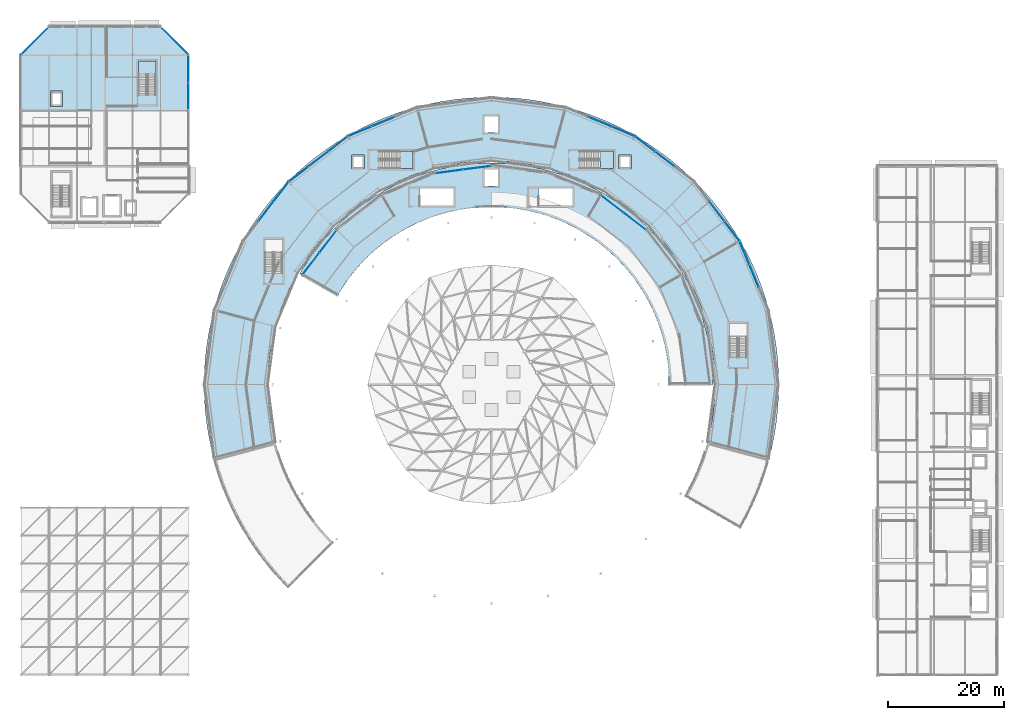
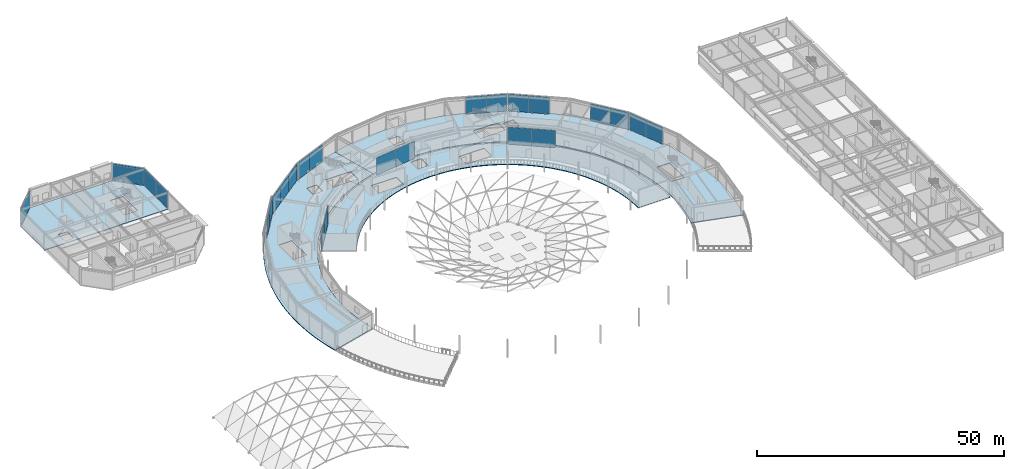
# One storey, part 77 of 116: 25 plates, 7 slabs, 16 elements without a shape of their own.
"""IFC4 building model written with IfcOpenShell, lengths in metres."""

from ifc_helpers import new_model, si_unit, direction, frame, origin, origin_2d, place, context, subcontext, project, spatial, polyline, rectangle, outline, extrude, material, layer, layer_set, type_object, element, aggregate, save


model = new_model("IFC4")

# Units and contexts
model_context = context("Model", 3, precision=1e-05, world=origin(), true_north=direction((0.0, 1.0)))
body_context = subcontext(model_context, "Body", "Model", "MODEL_VIEW")
ifc_project = project(units=[si_unit("LENGTHUNIT", "METRE"), si_unit("AREAUNIT", "SQUARE_METRE"), si_unit("VOLUMEUNIT", "CUBIC_METRE"), si_unit("PLANEANGLEUNIT", "RADIAN"), si_unit("MASSUNIT", "GRAM", prefix="KILO")], contexts=[model_context])

# Site, building, storey
site_placement = place(None, origin())
site = spatial("IfcSite", under=ifc_project, at=site_placement, CompositionType="ELEMENT")
building_placement = place(site_placement, origin())
building = spatial("IfcBuilding", under=site, at=building_placement, Name="Almandine Court Research Institute", CompositionType="ELEMENT")
storey_placement = place(building_placement, frame((0.0, 0.0, 14.35009765625)))
storey = spatial("IfcBuildingStorey", under=building, at=storey_placement, Name="L03", CompositionType="ELEMENT", Elevation=14.35009765625)

# Curtain wall, plate
ifc_material_1 = material(Name="Unitised Curtain Wall Framing and Solar Glazing", Category="glass")
curtain_wall_type_1 = type_object("IfcCurtainWallType", Name="CW-CWG-05", PredefinedType="USERDEFINED", material=ifc_material_1)
curtain_wall_1_placement = place(storey_placement, origin())
curtain_wall_1 = element("IfcCurtainWall", 1, at=curtain_wall_1_placement, inside=storey, type_object=curtain_wall_type_1, Name="L03 Cleanroom NW Chamfer Glazing", ObjectType="UNITISED GLAZING", PredefinedType="USERDEFINED")
ifc_material_2 = material(Name="Double-Glazed Low-E Argon Insulated Glass", Category="glass")
ifc_layer_1 = layer(ifc_material_2, 0.028076171875)
ifc_layer_set_1 = layer_set([ifc_layer_1], Name="Double-Glazed Low-E Argon Insulated Glass")
plate_type_1 = type_object("IfcPlateType", Name="CWPnl-GLZ-28", PredefinedType="CURTAIN_PANEL", material=ifc_layer_set_1)
plate_1_placement = place(storey_placement, frame((8.39990234375, 115.199951171875, 0.059814453125), z_axis=(0.0, 0.0, 1.0), x_axis=(0.707106781187, 0.707106781187, 0.0)))
plate_1 = element("IfcPlate", 2, at=plate_1_placement, type_object=plate_type_1, Name="CWG-05 panel 1.1", PredefinedType="CURTAIN_PANEL", context=body_context, shape_type="SweptSolid", body=[
    extrude(rectangle(XDim=6.656982421875, YDim=0.028076171875, at=origin_2d()), origin(), (0.0, 0.0, 1.0), 4.25),
])
aggregate(curtain_wall_1, [plate_1])

curtain_wall_2_placement = place(storey_placement, origin())
curtain_wall_2 = element("IfcCurtainWall", 3, at=curtain_wall_2_placement, inside=storey, type_object=curtain_wall_type_1, Name="L03 Cleanroom NE Chamfer Glazing", ObjectType="UNITISED GLAZING", PredefinedType="USERDEFINED")
plate_2_placement = place(storey_placement, frame((32.39990234375, 115.199951171875, 0.059814453125), z_axis=(0.0, 0.0, 1.0), x_axis=(0.707106781187, -0.707106781187, 0.0)))
plate_2 = element("IfcPlate", 4, at=plate_2_placement, type_object=plate_type_1, Name="CWG-05 panel 1.1", PredefinedType="CURTAIN_PANEL", context=body_context, shape_type="SweptSolid", body=[
    extrude(rectangle(XDim=6.656982421875, YDim=0.028076171875, at=origin_2d()), origin(), (0.0, 0.0, 1.0), 4.25),
])
aggregate(curtain_wall_2, [plate_2])

# Curtain wall, plates
curtain_wall_type_2 = type_object("IfcCurtainWallType", Name="CW-CWG-20", PredefinedType="USERDEFINED", material=ifc_material_1)
curtain_wall_3_placement = place(storey_placement, origin())
curtain_wall_3 = element("IfcCurtainWall", 5, at=curtain_wall_3_placement, inside=storey, type_object=curtain_wall_type_2, Name="L03 Stacked-Ring Drum Outer Unitised Glazing 04", ObjectType="UNITISED GLAZING", PredefinedType="USERDEFINED")
plate_3_placement = place(storey_placement, frame((105.72802734375, 101.212890625, 0.059814453125), z_axis=(0.0, 0.0, 1.0), x_axis=(0.923888124321, -0.382662689242, 0.0)))
plate_3 = element("IfcPlate", 6, at=plate_3_placement, type_object=plate_type_1, Name="CWG-20 panel 2.1", PredefinedType="CURTAIN_PANEL", context=body_context, shape_type="SweptSolid", body=[
    extrude(rectangle(XDim=4.232666015625, YDim=0.028076171875, at=origin_2d()), origin(), (0.0, 0.0, 1.0), 4.25),
])
plate_4_placement = place(storey_placement, frame((109.68017578125, 99.576171875, 0.059814453125), z_axis=(0.0, 0.0, 1.0), x_axis=(0.923888124321, -0.382662689242, 0.0)))
plate_4 = element("IfcPlate", 7, at=plate_4_placement, type_object=plate_type_1, Name="CWG-20 panel 3.1", PredefinedType="CURTAIN_PANEL", context=body_context, shape_type="SweptSolid", body=[
    extrude(rectangle(XDim=4.20263671875, YDim=0.028076171875, at=origin_2d()), origin(), (0.0, 0.0, 1.0), 4.25),
])
aggregate(curtain_wall_3, [plate_3, plate_4])

curtain_wall_4_placement = place(storey_placement, origin())
curtain_wall_4 = element("IfcCurtainWall", 8, at=curtain_wall_4_placement, inside=storey, type_object=curtain_wall_type_2, Name="L03 Stacked-Ring Drum Outer Unitised Glazing 07", ObjectType="UNITISED GLAZING", PredefinedType="USERDEFINED")
plate_5_placement = place(storey_placement, frame((64.31982421875, 99.576171875, 0.059814453125), z_axis=(0.0, 0.0, 1.0), x_axis=(0.923888124321, 0.382662689242, 0.0)))
plate_5 = element("IfcPlate", 9, at=plate_5_placement, type_object=plate_type_1, Name="CWG-20 panel 1.1", PredefinedType="CURTAIN_PANEL", context=body_context, shape_type="SweptSolid", body=[
    extrude(rectangle(XDim=4.20263671875, YDim=0.028076171875, at=origin_2d()), origin(), (0.0, 0.0, 1.0), 4.25),
])
plate_6_placement = place(storey_placement, frame((68.27197265625, 101.212890625, 0.059814453125), z_axis=(0.0, 0.0, 1.0), x_axis=(0.923888124321, 0.382662689242, 0.0)))
plate_6 = element("IfcPlate", 10, at=plate_6_placement, type_object=plate_type_1, Name="CWG-20 panel 2.1", PredefinedType="CURTAIN_PANEL", context=body_context, shape_type="SweptSolid", body=[
    extrude(rectangle(XDim=4.232666015625, YDim=0.028076171875, at=origin_2d()), origin(), (0.0, 0.0, 1.0), 4.25),
])
aggregate(curtain_wall_4, [plate_5, plate_6])

curtain_wall_type_3 = type_object("IfcCurtainWallType", Name="CW-CWG-24", PredefinedType="USERDEFINED", material=ifc_material_1)
curtain_wall_5_placement = place(storey_placement, origin())
curtain_wall_5 = element("IfcCurtainWall", 11, at=curtain_wall_5_placement, inside=storey, type_object=curtain_wall_type_3, Name="L03 Interaction Atrium Perimeter Curtain Wall 03", ObjectType="UNITISED GLAZING", PredefinedType="USERDEFINED")
plate_7_placement = place(storey_placement, frame((107.787841796875, 87.10009765625, 0.059814453125), z_axis=(0.0, 0.0, 1.0), x_axis=(0.793353924979, -0.608760667029, 0.0)))
plate_7 = element("IfcPlate", 12, at=plate_7_placement, type_object=plate_type_1, Name="CWG-24 panel 1.1", PredefinedType="CURTAIN_PANEL", context=body_context, shape_type="SweptSolid", body=[
    extrude(rectangle(XDim=4.82080078125, YDim=0.028076171875, at=origin_2d()), origin(), (0.0, 0.0, 1.0), 4.25),
])
plate_8_placement = place(storey_placement, frame((111.66015625, 84.12890625, 0.059814453125), z_axis=(0.0, 0.0, 1.0), x_axis=(0.793353924979, -0.608760667029, 0.0)))
plate_8 = element("IfcPlate", 13, at=plate_8_placement, type_object=plate_type_1, Name="CWG-24 panel 2.1", PredefinedType="CURTAIN_PANEL", context=body_context, shape_type="SweptSolid", body=[
    extrude(rectangle(XDim=4.82080078125, YDim=0.028076171875, at=origin_2d()), origin(), (0.0, 0.0, 1.0), 4.25),
])
aggregate(curtain_wall_5, [plate_7, plate_8])

curtain_wall_6_placement = place(storey_placement, origin())
curtain_wall_6 = element("IfcCurtainWall", 14, at=curtain_wall_6_placement, inside=storey, type_object=curtain_wall_type_3, Name="L03 Interaction Atrium Perimeter Curtain Wall 06", ObjectType="UNITISED GLAZING", PredefinedType="USERDEFINED")
plate_9_placement = place(storey_placement, frame((79.7080078125, 92.6904296875, 0.059814453125), z_axis=(0.0, 0.0, 1.0), x_axis=(0.991443548509, 0.130536164028, 0.0)))
plate_9 = element("IfcPlate", 15, at=plate_9_placement, type_object=plate_type_1, Name="CWG-24 panel 1.1", PredefinedType="CURTAIN_PANEL", context=body_context, shape_type="SweptSolid", body=[
    extrude(rectangle(XDim=4.820556640625, YDim=0.028076171875, at=origin_2d()), origin(), (0.0, 0.0, 1.0), 4.25),
])
plate_10_placement = place(storey_placement, frame((84.546875, 93.32763671875, 0.059814453125), z_axis=(0.0, 0.0, 1.0), x_axis=(0.991443548509, 0.130536164028, 0.0)))
plate_10 = element("IfcPlate", 16, at=plate_10_placement, type_object=plate_type_1, Name="CWG-24 panel 2.1", PredefinedType="CURTAIN_PANEL", context=body_context, shape_type="SweptSolid", body=[
    extrude(rectangle(XDim=4.820556640625, YDim=0.028076171875, at=origin_2d()), origin(), (0.0, 0.0, 1.0), 4.25),
])
aggregate(curtain_wall_6, [plate_9, plate_10])

curtain_wall_7_placement = place(storey_placement, origin())
curtain_wall_7 = element("IfcCurtainWall", 17, at=curtain_wall_7_placement, inside=storey, type_object=curtain_wall_type_3, Name="L03 Interaction Atrium Perimeter Curtain Wall 09", ObjectType="UNITISED GLAZING", PredefinedType="USERDEFINED")
plate_11_placement = place(storey_placement, frame((55.89990234375, 76.787841796875, 0.059814453125), z_axis=(0.0, 0.0, 1.0), x_axis=(0.608760667029, 0.793353924979, 0.0)))
plate_11 = element("IfcPlate", 18, at=plate_11_placement, type_object=plate_type_1, Name="CWG-24 panel 1.1", PredefinedType="CURTAIN_PANEL", context=body_context, shape_type="SweptSolid", body=[
    extrude(rectangle(XDim=4.82080078125, YDim=0.028076171875, at=origin_2d()), origin(), (0.0, 0.0, 1.0), 4.25),
])
plate_12_placement = place(storey_placement, frame((58.87109375, 80.66015625, 0.059814453125), z_axis=(0.0, 0.0, 1.0), x_axis=(0.608760667029, 0.793353924979, 0.0)))
plate_12 = element("IfcPlate", 19, at=plate_12_placement, type_object=plate_type_1, Name="CWG-24 panel 2.1", PredefinedType="CURTAIN_PANEL", context=body_context, shape_type="SweptSolid", body=[
    extrude(rectangle(XDim=4.82080078125, YDim=0.028076171875, at=origin_2d()), origin(), (0.0, 0.0, 1.0), 4.25),
])
aggregate(curtain_wall_7, [plate_11, plate_12])

curtain_wall_type_4 = type_object("IfcCurtainWallType", Name="CW-CWJ-02", PredefinedType="USERDEFINED", material=ifc_material_1)
curtain_wall_8_placement = place(storey_placement, origin())
curtain_wall_8 = element("IfcCurtainWall", 20, at=curtain_wall_8_placement, inside=storey, type_object=curtain_wall_type_4, Name="L03 Cleanroom East Courtyard Jali Screen 3", ObjectType="SOLAR JALI SCREEN", PredefinedType="USERDEFINED")
ifc_material_3 = material(Name="Perforated Ochre Terracotta Jali Solar Cassette", Category="masonry")
ifc_layer_2 = layer(ifc_material_3, 0.035888671875)
ifc_layer_set_2 = layer_set([ifc_layer_2], Name="Perforated Ochre Terracotta Jali Solar Cassette")
plate_type_2 = type_object("IfcPlateType", Name="CWPnl-JALI-36", PredefinedType="CURTAIN_PANEL", material=ifc_layer_set_2)
plate_13_placement = place(storey_placement, frame((34.800048828125, 110.3818359375, 0.06494140625), z_axis=(0.0, 0.0, 1.0), x_axis=(0.0, -1.0, 0.0)))
plate_13 = element("IfcPlate", 21, at=plate_13_placement, type_object=plate_type_2, Name="CWJ-02 panel 1.1", PredefinedType="CURTAIN_PANEL", context=body_context, shape_type="SweptSolid", body=[
    extrude(rectangle(XDim=4.698486328125, YDim=0.035888671875, at=origin_2d()), origin(), (0.0, 0.0, 1.0), 4.239990234375),
])
plate_14_placement = place(storey_placement, frame((34.800048828125, 105.6181640625, 0.06494140625), z_axis=(0.0, 0.0, 1.0), x_axis=(0.0, -1.0, 0.0)))
plate_14 = element("IfcPlate", 22, at=plate_14_placement, type_object=plate_type_2, Name="CWJ-02 panel 2.1", PredefinedType="CURTAIN_PANEL", context=body_context, shape_type="SweptSolid", body=[
    extrude(rectangle(XDim=4.698486328125, YDim=0.035888671875, at=origin_2d()), origin(), (0.0, 0.0, 1.0), 4.239990234375),
])
aggregate(curtain_wall_8, [plate_13, plate_14])

curtain_wall_type_5 = type_object("IfcCurtainWallType", Name="CW-CWJ-19", PredefinedType="USERDEFINED", material=ifc_material_1)
curtain_wall_9_placement = place(storey_placement, origin())
curtain_wall_9 = element("IfcCurtainWall", 23, at=curtain_wall_9_placement, inside=storey, type_object=curtain_wall_type_5, Name="L03 Stacked-Ring Drum Outer Solar Jali Screen 01", ObjectType="SOLAR JALI SCREEN", PredefinedType="USERDEFINED")
plate_15_placement = place(storey_placement, frame((130.57666015625, 78.678955078125, 0.06494140625), z_axis=(0.0, 0.0, 1.0), x_axis=(0.382662689242, -0.923888124321, 0.0)))
plate_15 = element("IfcPlate", 24, at=plate_15_placement, type_object=plate_type_2, Name="CWJ-19 panel 1.1", PredefinedType="CURTAIN_PANEL", context=body_context, shape_type="SweptSolid", body=[
    extrude(rectangle(XDim=4.1953125, YDim=0.035888671875, at=origin_2d()), origin(), (0.0, 0.0, 1.0), 4.239990234375),
])
plate_16_placement = place(storey_placement, frame((132.212890625, 74.72802734375, 0.06494140625), z_axis=(0.0, 0.0, 1.0), x_axis=(0.382662689242, -0.923888124321, 0.0)))
plate_16 = element("IfcPlate", 25, at=plate_16_placement, type_object=plate_type_2, Name="CWJ-19 panel 2.1", PredefinedType="CURTAIN_PANEL", context=body_context, shape_type="SweptSolid", body=[
    extrude(rectangle(XDim=4.227783203125, YDim=0.035888671875, at=origin_2d()), origin(), (0.0, 0.0, 1.0), 4.239990234375),
])
aggregate(curtain_wall_9, [plate_15, plate_16])

curtain_wall_10_placement = place(storey_placement, origin())
curtain_wall_10 = element("IfcCurtainWall", 26, at=curtain_wall_10_placement, inside=storey, type_object=curtain_wall_type_5, Name="L03 Stacked-Ring Drum Outer Solar Jali Screen 02", ObjectType="SOLAR JALI SCREEN", PredefinedType="USERDEFINED")
plate_17_placement = place(storey_placement, frame((125.825439453125, 85.79150390625, 0.06494140625), z_axis=(0.0, 0.0, 1.0), x_axis=(0.608723313303, -0.793382586046, 0.0)))
plate_17 = element("IfcPlate", 27, at=plate_17_placement, type_object=plate_type_2, Name="CWJ-19 panel 2.1", PredefinedType="CURTAIN_PANEL", context=body_context, shape_type="SweptSolid", body=[
    extrude(rectangle(XDim=4.2275390625, YDim=0.035888671875, at=origin_2d()), origin(), (0.0, 0.0, 1.0), 4.239990234375),
])
plate_18_placement = place(storey_placement, frame((128.4287109375, 82.398681640625, 0.06494140625), z_axis=(0.0, 0.0, 1.0), x_axis=(0.608723313303, -0.793382586046, 0.0)))
plate_18 = element("IfcPlate", 28, at=plate_18_placement, type_object=plate_type_2, Name="CWJ-19 panel 3.1", PredefinedType="CURTAIN_PANEL", context=body_context, shape_type="SweptSolid", body=[
    extrude(rectangle(XDim=4.195068359375, YDim=0.035888671875, at=origin_2d()), origin(), (0.0, 0.0, 1.0), 4.239990234375),
])
aggregate(curtain_wall_10, [plate_17, plate_18])

curtain_wall_11_placement = place(storey_placement, origin())
curtain_wall_11 = element("IfcCurtainWall", 29, at=curtain_wall_11_placement, inside=storey, type_object=curtain_wall_type_5, Name="L03 Stacked-Ring Drum Outer Solar Jali Screen 03", ObjectType="SOLAR JALI SCREEN", PredefinedType="USERDEFINED")
plate_19_placement = place(storey_placement, frame((113.398681640625, 97.4287109375, 0.06494140625), z_axis=(0.0, 0.0, 1.0), x_axis=(0.793382586046, -0.608723313303, 0.0)))
plate_19 = element("IfcPlate", 30, at=plate_19_placement, type_object=plate_type_2, Name="CWJ-19 panel 1.1", PredefinedType="CURTAIN_PANEL", context=body_context, shape_type="SweptSolid", body=[
    extrude(rectangle(XDim=4.195068359375, YDim=0.035888671875, at=origin_2d()), origin(), (0.0, 0.0, 1.0), 4.239990234375),
])
plate_20_placement = place(storey_placement, frame((116.79150390625, 94.825439453125, 0.06494140625), z_axis=(0.0, 0.0, 1.0), x_axis=(0.793382586046, -0.608723313303, 0.0)))
plate_20 = element("IfcPlate", 31, at=plate_20_placement, type_object=plate_type_2, Name="CWJ-19 panel 2.1", PredefinedType="CURTAIN_PANEL", context=body_context, shape_type="SweptSolid", body=[
    extrude(rectangle(XDim=4.2275390625, YDim=0.035888671875, at=origin_2d()), origin(), (0.0, 0.0, 1.0), 4.239990234375),
])
aggregate(curtain_wall_11, [plate_19, plate_20])

curtain_wall_12_placement = place(storey_placement, origin())
curtain_wall_12 = element("IfcCurtainWall", 32, at=curtain_wall_12_placement, inside=storey, type_object=curtain_wall_type_5, Name="L03 Stacked-Ring Drum Outer Solar Jali Screen 08", ObjectType="SOLAR JALI SCREEN", PredefinedType="USERDEFINED")
plate_21_placement = place(storey_placement, frame((53.815673828125, 92.222412109375, 0.06494140625), z_axis=(0.0, 0.0, 1.0), x_axis=(0.793382586046, 0.608723313303, 0.0)))
plate_21 = element("IfcPlate", 33, at=plate_21_placement, type_object=plate_type_2, Name="CWJ-19 panel 1.1", PredefinedType="CURTAIN_PANEL", context=body_context, shape_type="SweptSolid", body=[
    extrude(rectangle(XDim=4.195068359375, YDim=0.035888671875, at=origin_2d()), origin(), (0.0, 0.0, 1.0), 4.239990234375),
])
plate_22_placement = place(storey_placement, frame((57.20849609375, 94.825439453125, 0.06494140625), z_axis=(0.0, 0.0, 1.0), x_axis=(0.793382586046, 0.608723313303, 0.0)))
plate_22 = element("IfcPlate", 34, at=plate_22_placement, type_object=plate_type_2, Name="CWJ-19 panel 2.1", PredefinedType="CURTAIN_PANEL", context=body_context, shape_type="SweptSolid", body=[
    extrude(rectangle(XDim=4.2275390625, YDim=0.035888671875, at=origin_2d()), origin(), (0.0, 0.0, 1.0), 4.239990234375),
])
plate_23_placement = place(storey_placement, frame((60.601318359375, 97.4287109375, 0.06494140625), z_axis=(0.0, 0.0, 1.0), x_axis=(0.793382586046, 0.608723313303, 0.0)))
plate_23 = element("IfcPlate", 35, at=plate_23_placement, type_object=plate_type_2, Name="CWJ-19 panel 3.1", PredefinedType="CURTAIN_PANEL", context=body_context, shape_type="SweptSolid", body=[
    extrude(rectangle(XDim=4.195068359375, YDim=0.035888671875, at=origin_2d()), origin(), (0.0, 0.0, 1.0), 4.239990234375),
])
aggregate(curtain_wall_12, [plate_21, plate_22, plate_23])

curtain_wall_13_placement = place(storey_placement, origin())
curtain_wall_13 = element("IfcCurtainWall", 36, at=curtain_wall_13_placement, inside=storey, type_object=curtain_wall_type_5, Name="L03 Stacked-Ring Drum Outer Solar Jali Screen 09", ObjectType="SOLAR JALI SCREEN", PredefinedType="USERDEFINED")
plate_24_placement = place(storey_placement, frame((48.174560546875, 85.79150390625, 0.06494140625), z_axis=(0.0, 0.0, 1.0), x_axis=(0.608723313303, 0.793382586046, 0.0)))
plate_24 = element("IfcPlate", 37, at=plate_24_placement, type_object=plate_type_2, Name="CWJ-19 panel 2.1", PredefinedType="CURTAIN_PANEL", context=body_context, shape_type="SweptSolid", body=[
    extrude(rectangle(XDim=4.2275390625, YDim=0.035888671875, at=origin_2d()), origin(), (0.0, 0.0, 1.0), 4.239990234375),
])
plate_25_placement = place(storey_placement, frame((50.777587890625, 89.184326171875, 0.06494140625), z_axis=(0.0, 0.0, 1.0), x_axis=(0.608723313303, 0.793382586046, 0.0)))
plate_25 = element("IfcPlate", 38, at=plate_25_placement, type_object=plate_type_2, Name="CWJ-19 panel 3.1", PredefinedType="CURTAIN_PANEL", context=body_context, shape_type="SweptSolid", body=[
    extrude(rectangle(XDim=4.195068359375, YDim=0.035888671875, at=origin_2d()), origin(), (0.0, 0.0, 1.0), 4.239990234375),
])
aggregate(curtain_wall_13, [plate_24, plate_25])

# Slabs
ifc_material_4 = material(Name="Concrete C35/45", Category="concrete")
ifc_layer_3 = layer(ifc_material_4, 0.179931640625)
ifc_layer_set_3 = layer_set([ifc_layer_3], Name="Concrete C35/45")
slab_type_1 = type_object("IfcSlabType", Name="Slab-FLR-180", PredefinedType="FLOOR", material=ifc_layer_set_3)
slab_1_placement = place(storey_placement, frame((0.0, 0.0, -0.18017578125)))
element("IfcSlab", 39, at=slab_1_placement, inside=storey, type_object=slab_type_1, Name="L03 Volume 3 Cleanroom Pavilion Floor Slab -N", PredefinedType="FLOOR", context=body_context, shape_type="SweptSolid", body=[
    extrude(outline(polyline([(6.0, 103.199951171875), (34.800048828125, 103.199951171875), (34.800048828125, 112.800048828125), (30.0, 117.60009765625), (10.800048828125, 117.60009765625), (6.0, 112.800048828125), (6.0, 103.199951171875)]), holes=[polyline([(29.199951171875, 105.85009765625), (29.199951171875, 111.699951171875), (26.199951171875, 111.699951171875), (26.199951171875, 105.85009765625), (29.199951171875, 105.85009765625)]), polyline([(11.080078125, 103.8798828125), (13.1201171875, 103.8798828125), (13.1201171875, 106.52001953125), (11.080078125, 106.52001953125), (11.080078125, 103.8798828125)])]), origin(), (0.0, 0.0, 1.0), 0.18017578125),
])
slab_2_placement = place(storey_placement, frame((0.0, 0.0, -0.18017578125)))
element("IfcSlab", 40, at=slab_2_placement, inside=storey, type_object=slab_type_1, Name="L03 Volume 5 Stacked-Ring Drum E Laboratory Slab", PredefinedType="FLOOR", context=body_context, shape_type="SweptSolid", body=[
    extrude(outline(polyline([(134.81298828125, 43.18798828125), (135.326904296875, 45.285888671875), (135.748046875, 47.404052734375), (136.076904296875, 49.5390625), (136.31201171875, 51.68603515625), (136.452880859375, 53.841064453125), (136.5, 56.0), (136.452880859375, 58.158935546875), (136.31201171875, 60.31396484375), (136.076904296875, 62.4609375), (135.748046875, 64.595947265625), (135.326904296875, 66.714111328125), (134.81298828125, 68.81201171875), (134.208984375, 70.885009765625), (133.514892578125, 72.929931640625), (132.73193359375, 74.943115234375), (131.862060546875, 76.919921875), (130.906982421875, 78.85693359375), (129.867919921875, 80.75), (128.748046875, 82.595947265625), (127.548095703125, 84.39208984375), (126.27099609375, 86.134033203125), (124.9189453125, 87.818115234375), (123.4951171875, 89.44189453125), (122.001953125, 91.001953125), (120.44189453125, 92.4951171875), (118.818115234375, 93.9189453125), (117.134033203125, 95.27099609375), (115.39208984375, 96.548095703125), (113.595947265625, 97.748046875), (111.75, 98.867919921875), (109.85693359375, 99.906982421875), (107.919921875, 100.862060546875), (105.943115234375, 101.73193359375), (103.929931640625, 102.514892578125), (101.885009765625, 103.208984375), (99.81201171875, 103.81298828125), (97.714111328125, 104.326904296875), (95.595947265625, 104.748046875), (93.4609375, 105.076904296875), (91.31396484375, 105.31201171875), (89.158935546875, 105.452880859375), (87.0, 105.5), (84.841064453125, 105.452880859375), (82.68603515625, 105.31201171875), (80.5390625, 105.076904296875), (78.404052734375, 104.748046875), (76.285888671875, 104.326904296875), (74.18798828125, 103.81298828125), (77.034912109375, 93.18798828125), (78.6669921875, 93.5869140625), (80.31494140625, 93.9150390625), (81.97509765625, 94.1708984375), (83.64501953125, 94.35302734375), (85.321044921875, 94.462890625), (87.0, 94.5), (88.678955078125, 94.462890625), (90.35498046875, 94.35302734375), (92.02490234375, 94.1708984375), (93.68505859375, 93.9150390625), (95.3330078125, 93.5869140625), (96.965087890625, 93.18798828125), (98.576904296875, 92.718017578125), (100.16796875, 92.177978515625), (101.73291015625, 91.569091796875), (103.27099609375, 90.89306640625), (104.777099609375, 90.14990234375), (106.25, 89.342041015625), (107.68603515625, 88.470947265625), (109.0830078125, 87.537109375), (110.43701171875, 86.5439453125), (111.7470703125, 85.492919921875), (113.010009765625, 84.385009765625), (114.22412109375, 83.22412109375), (115.385009765625, 82.010009765625), (116.492919921875, 80.7470703125), (117.5439453125, 79.43701171875), (118.537109375, 78.0830078125), (119.470947265625, 76.68603515625), (120.342041015625, 75.25), (121.14990234375, 73.777099609375), (121.89306640625, 72.27099609375), (122.569091796875, 70.73291015625), (123.177978515625, 69.16796875), (123.718017578125, 67.576904296875), (124.18798828125, 65.965087890625), (124.5869140625, 64.3330078125), (124.9150390625, 62.68505859375), (125.1708984375, 61.02490234375), (125.35302734375, 59.35498046875), (125.462890625, 57.678955078125), (125.5, 56.0), (125.462890625, 54.321044921875), (125.35302734375, 52.64501953125), (125.1708984375, 50.97509765625), (124.9150390625, 49.31494140625), (124.5869140625, 47.6669921875), (124.18798828125, 46.034912109375), (134.81298828125, 43.18798828125)]), holes=[polyline([(102.14990234375, 93.199951171875), (108.0, 93.199951171875), (108.0, 96.199951171875), (102.14990234375, 96.199951171875), (102.14990234375, 93.199951171875)]), polyline([(131.0, 60.64990234375), (131.0, 66.5), (128.0, 66.5), (128.0, 60.64990234375), (131.0, 60.64990234375)]), polyline([(85.85009765625, 99.39990234375), (88.14990234375, 99.39990234375), (88.14990234375, 102.199951171875), (85.85009765625, 102.199951171875), (85.85009765625, 99.39990234375)]), polyline([(108.8798828125, 93.080078125), (111.1201171875, 93.080078125), (111.1201171875, 95.52001953125), (108.8798828125, 95.52001953125), (108.8798828125, 93.080078125)])]), origin(), (0.0, 0.0, 1.0), 0.18017578125),
])
slab_3_placement = place(storey_placement, frame((0.0, 0.0, -0.18017578125)))
element("IfcSlab", 41, at=slab_3_placement, inside=storey, type_object=slab_type_1, Name="L03 Volume 5 Stacked-Ring Drum W Laboratory Slab", PredefinedType="FLOOR", context=body_context, shape_type="SweptSolid", body=[
    extrude(outline(polyline([(74.18798828125, 103.81298828125), (72.114990234375, 103.208984375), (70.070068359375, 102.514892578125), (68.056884765625, 101.73193359375), (66.080078125, 100.862060546875), (64.14306640625, 99.906982421875), (62.25, 98.867919921875), (60.404052734375, 97.748046875), (58.60791015625, 96.548095703125), (56.865966796875, 95.27099609375), (55.181884765625, 93.9189453125), (53.55810546875, 92.4951171875), (51.998046875, 91.001953125), (50.5048828125, 89.44189453125), (49.0810546875, 87.818115234375), (47.72900390625, 86.134033203125), (46.451904296875, 84.39208984375), (45.251953125, 82.595947265625), (44.132080078125, 80.75), (43.093017578125, 78.85693359375), (42.137939453125, 76.919921875), (41.26806640625, 74.943115234375), (40.485107421875, 72.929931640625), (39.791015625, 70.885009765625), (39.18701171875, 68.81201171875), (38.673095703125, 66.714111328125), (38.251953125, 64.595947265625), (37.923095703125, 62.4609375), (37.68798828125, 60.31396484375), (37.547119140625, 58.158935546875), (37.5, 56.0), (37.547119140625, 53.841064453125), (37.68798828125, 51.68603515625), (37.923095703125, 49.5390625), (38.251953125, 47.404052734375), (38.673095703125, 45.285888671875), (39.18701171875, 43.18798828125), (49.81201171875, 46.034912109375), (49.4130859375, 47.6669921875), (49.0849609375, 49.31494140625), (48.8291015625, 50.97509765625), (48.64697265625, 52.64501953125), (48.537109375, 54.321044921875), (48.5, 56.0), (48.537109375, 57.678955078125), (48.64697265625, 59.35498046875), (48.8291015625, 61.02490234375), (49.0849609375, 62.68505859375), (49.4130859375, 64.3330078125), (49.81201171875, 65.965087890625), (50.281982421875, 67.576904296875), (50.822021484375, 69.16796875), (51.430908203125, 70.73291015625), (52.10693359375, 72.27099609375), (52.85009765625, 73.777099609375), (53.657958984375, 75.25), (54.529052734375, 76.68603515625), (55.462890625, 78.0830078125), (56.4560546875, 79.43701171875), (57.507080078125, 80.7470703125), (58.614990234375, 82.010009765625), (59.77587890625, 83.22412109375), (60.989990234375, 84.385009765625), (62.2529296875, 85.492919921875), (63.56298828125, 86.5439453125), (64.9169921875, 87.537109375), (66.31396484375, 88.470947265625), (67.75, 89.342041015625), (69.222900390625, 90.14990234375), (70.72900390625, 90.89306640625), (72.26708984375, 91.569091796875), (73.83203125, 92.177978515625), (75.423095703125, 92.718017578125), (77.034912109375, 93.18798828125), (74.18798828125, 103.81298828125)]), holes=[polyline([(67.64990234375, 93.199951171875), (73.5, 93.199951171875), (73.5, 96.199951171875), (67.64990234375, 96.199951171875), (67.64990234375, 93.199951171875)]), polyline([(51.0, 75.14990234375), (51.0, 81.0), (48.0, 81.0), (48.0, 75.14990234375), (51.0, 75.14990234375)]), polyline([(62.8798828125, 93.080078125), (65.1201171875, 93.080078125), (65.1201171875, 95.52001953125), (62.8798828125, 95.52001953125), (62.8798828125, 93.080078125)])]), origin(), (0.0, 0.0, 1.0), 0.18017578125),
])
slab_4_placement = place(storey_placement, frame((0.0, 0.0, -0.18017578125)))
element("IfcSlab", 42, at=slab_4_placement, inside=storey, type_object=slab_type_1, Name="L03 Interaction Atrium Terraced Collaboration Gallery Slab", PredefinedType="FLOOR", context=body_context, shape_type="SweptSolid", body=[
    extrude(outline(polyline([(125.14990234375, 56.0), (125.114013671875, 57.6640625), (125.0048828125, 59.324951171875), (124.823974609375, 60.97998046875), (124.570068359375, 62.625), (124.24609375, 64.257080078125), (123.85009765625, 65.8740234375), (123.384033203125, 67.471923828125), (122.84912109375, 69.048095703125), (122.24609375, 70.59912109375), (121.575927734375, 72.123046875), (120.839111328125, 73.615966796875), (120.0390625, 75.074951171875), (119.175048828125, 76.498046875), (118.2509765625, 77.882080078125), (117.26611328125, 79.22412109375), (116.22509765625, 80.52197265625), (115.126953125, 81.77392578125), (113.97607421875, 82.97607421875), (112.77392578125, 84.126953125), (111.52197265625, 85.22509765625), (110.22412109375, 86.26611328125), (108.882080078125, 87.2509765625), (107.498046875, 88.175048828125), (106.074951171875, 89.0390625), (104.615966796875, 89.839111328125), (103.123046875, 90.575927734375), (101.59912109375, 91.24609375), (100.048095703125, 91.84912109375), (98.471923828125, 92.384033203125), (96.8740234375, 92.85009765625), (95.257080078125, 93.24609375), (93.625, 93.570068359375), (91.97998046875, 93.823974609375), (90.324951171875, 94.0048828125), (88.6640625, 94.114013671875), (87.0, 94.14990234375), (85.3359375, 94.114013671875), (83.675048828125, 94.0048828125), (82.02001953125, 93.823974609375), (80.375, 93.570068359375), (78.742919921875, 93.24609375), (77.1259765625, 92.85009765625), (75.528076171875, 92.384033203125), (73.951904296875, 91.84912109375), (72.40087890625, 91.24609375), (70.876953125, 90.575927734375), (69.384033203125, 89.839111328125), (67.925048828125, 89.0390625), (66.501953125, 88.175048828125), (65.117919921875, 87.2509765625), (63.77587890625, 86.26611328125), (62.47802734375, 85.22509765625), (61.22607421875, 84.126953125), (60.02392578125, 82.97607421875), (58.873046875, 81.77392578125), (57.77490234375, 80.52197265625), (56.73388671875, 79.22412109375), (55.7490234375, 77.882080078125), (54.824951171875, 76.498046875), (53.9609375, 75.074951171875), (60.5, 71.300048828125), (61.19189453125, 72.44091796875), (61.93408203125, 73.551025390625), (62.722900390625, 74.6279296875), (63.55908203125, 75.6689453125), (64.43896484375, 76.673095703125), (65.363037109375, 77.636962890625), (66.326904296875, 78.56103515625), (67.3310546875, 79.44091796875), (68.3720703125, 80.277099609375), (69.448974609375, 81.06591796875), (70.55908203125, 81.80810546875), (71.699951171875, 82.5), (72.8701171875, 83.14306640625), (74.068115234375, 83.73291015625), (75.2900390625, 84.27099609375), (76.533935546875, 84.7548828125), (77.798095703125, 85.18408203125), (79.080078125, 85.556884765625), (80.376953125, 85.875), (81.68603515625, 86.135009765625), (83.006103515625, 86.337890625), (84.3330078125, 86.48388671875), (85.6650390625, 86.571044921875), (87.0, 86.60009765625), (88.3349609375, 86.571044921875), (89.6669921875, 86.48388671875), (90.993896484375, 86.337890625), (92.31396484375, 86.135009765625), (93.623046875, 85.875), (94.919921875, 85.556884765625), (96.201904296875, 85.18408203125), (97.466064453125, 84.7548828125), (98.7099609375, 84.27099609375), (99.931884765625, 83.73291015625), (101.1298828125, 83.14306640625), (102.300048828125, 82.5), (103.44091796875, 81.80810546875), (104.551025390625, 81.06591796875), (105.6279296875, 80.277099609375), (106.6689453125, 79.44091796875), (107.673095703125, 78.56103515625), (108.636962890625, 77.636962890625), (109.56103515625, 76.673095703125), (110.44091796875, 75.6689453125), (111.277099609375, 74.6279296875), (112.06591796875, 73.551025390625), (112.80810546875, 72.44091796875), (113.5, 71.300048828125), (114.14306640625, 70.1298828125), (114.73291015625, 68.931884765625), (115.27099609375, 67.7099609375), (115.7548828125, 66.466064453125), (116.18408203125, 65.201904296875), (116.556884765625, 63.919921875), (116.875, 62.623046875), (117.135009765625, 61.31396484375), (117.337890625, 59.993896484375), (117.48388671875, 58.6669921875), (117.571044921875, 57.3349609375), (117.60009765625, 56.0), (125.14990234375, 56.0)]), holes=[polyline([(95.14990234375, 86.800048828125), (101.0, 86.800048828125), (101.0, 89.800048828125), (95.14990234375, 89.800048828125), (95.14990234375, 86.800048828125)]), polyline([(74.64990234375, 86.800048828125), (80.5, 86.800048828125), (80.5, 89.800048828125), (74.64990234375, 89.800048828125), (74.64990234375, 86.800048828125)]), polyline([(85.85009765625, 90.199951171875), (88.14990234375, 90.199951171875), (88.14990234375, 93.0), (85.85009765625, 93.0), (85.85009765625, 90.199951171875)])]), origin(), (0.0, 0.0, 1.0), 0.18017578125),
])

# Stair, slab
stair_type = type_object("IfcStairType", Name="Stair-Core-26R", PredefinedType="HALF_TURN_STAIR", material=ifc_material_4)
stair_1_placement = place(storey_placement, origin())
stair_1 = element("IfcStair", 43, at=stair_1_placement, inside=storey, type_object=stair_type, Name="L03 Cleanroom Pavilion North Exit Stair", PredefinedType="HALF_TURN_STAIR")
ifc_layer_4 = layer(ifc_material_4, 0.179931640625)
ifc_layer_set_4 = layer_set([ifc_layer_4], Name="Concrete C35/45")
slab_type_2 = type_object("IfcSlabType", Name="Slab-Landing-180", PredefinedType="LANDING", material=ifc_layer_set_4)
slab_5_placement = place(storey_placement, frame((0.0, 0.0, 2.094970703125)))
slab_5 = element("IfcSlab", 44, at=slab_5_placement, type_object=slab_type_2, Name="ST-06 landing 1", PredefinedType="LANDING", context=body_context, shape_type="SweptSolid", body=[
    extrude(outline(polyline([(29.199951171875, 109.449951171875), (29.199951171875, 111.699951171875), (26.199951171875, 111.699951171875), (26.199951171875, 109.449951171875), (29.199951171875, 109.449951171875)])), origin(), (0.0, 0.0, 1.0), 0.179931640625),
])
aggregate(stair_1, [slab_5])

stair_2_placement = place(storey_placement, origin())
stair_2 = element("IfcStair", 45, at=stair_2_placement, inside=storey, type_object=stair_type, Name="L03 Drum Northeast Exit Stair", PredefinedType="HALF_TURN_STAIR")
slab_6_placement = place(storey_placement, frame((0.0, 0.0, 2.094970703125)))
slab_6 = element("IfcSlab", 46, at=slab_6_placement, type_object=slab_type_2, Name="ST-09 landing 1", PredefinedType="LANDING", context=body_context, shape_type="SweptSolid", body=[
    extrude(outline(polyline([(105.75, 93.199951171875), (108.0, 93.199951171875), (108.0, 96.199951171875), (105.75, 96.199951171875), (105.75, 93.199951171875)])), origin(), (0.0, 0.0, 1.0), 0.179931640625),
])
aggregate(stair_2, [slab_6])

stair_3_placement = place(storey_placement, origin())
stair_3 = element("IfcStair", 47, at=stair_3_placement, inside=storey, type_object=stair_type, Name="L03 Drum Northwest Exit Stair", PredefinedType="HALF_TURN_STAIR")
slab_7_placement = place(storey_placement, frame((0.0, 0.0, 2.094970703125)))
slab_7 = element("IfcSlab", 48, at=slab_7_placement, type_object=slab_type_2, Name="ST-10 landing 1", PredefinedType="LANDING", context=body_context, shape_type="SweptSolid", body=[
    extrude(outline(polyline([(71.25, 93.199951171875), (73.5, 93.199951171875), (73.5, 96.199951171875), (71.25, 96.199951171875), (71.25, 93.199951171875)])), origin(), (0.0, 0.0, 1.0), 0.179931640625),
])
aggregate(stair_3, [slab_7])

save(model, "model.ifc")
